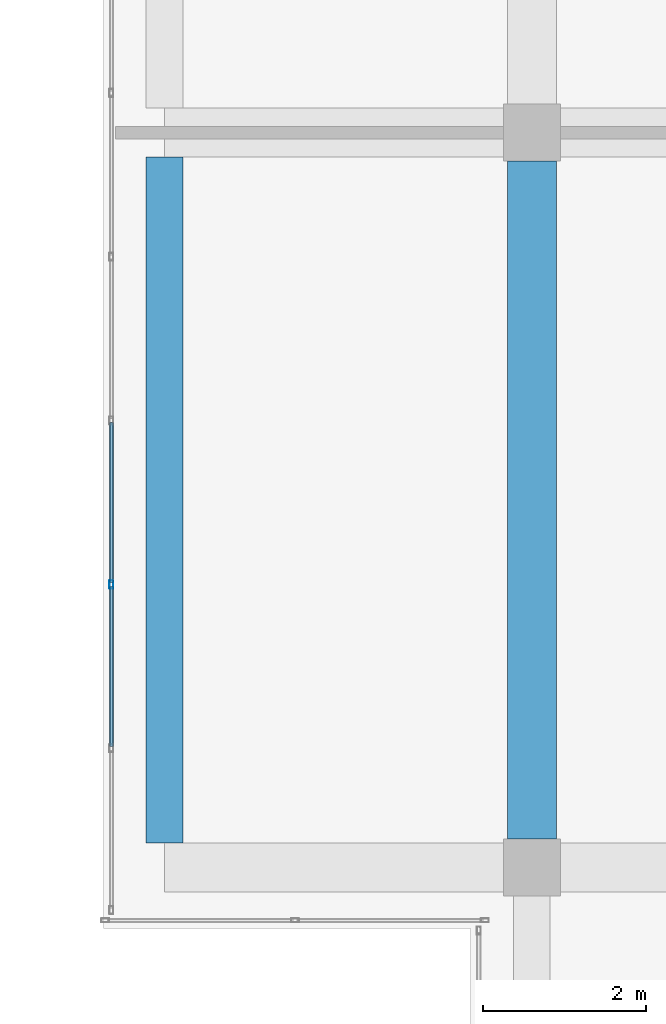
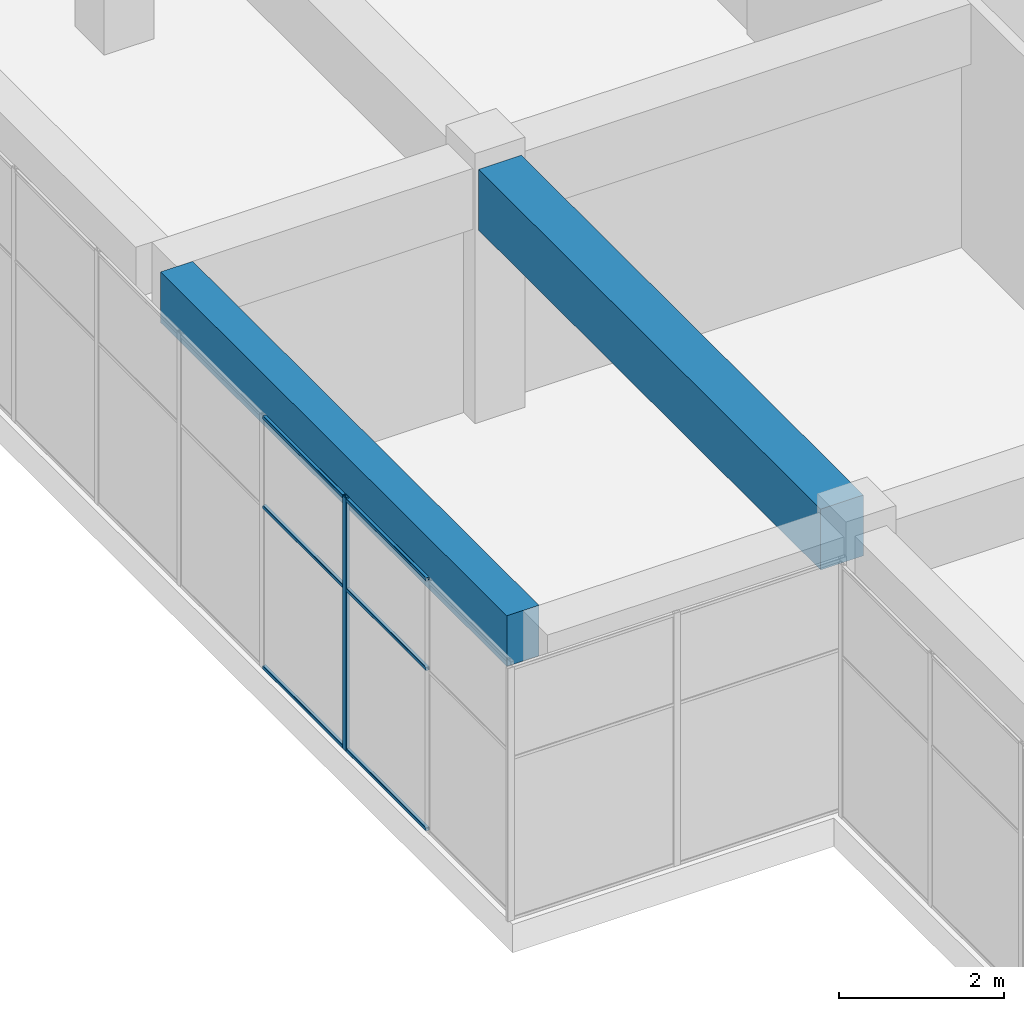
# One storey, part 13 of 49: 7 members, 2 beams, 1 element without a shape of its own.
"""IFC4 building model written with IfcOpenShell, lengths in metres."""

from ifc_helpers import new_model, si_unit, direction, frame, origin, origin_2d, place, context, subcontext, project, spatial, rectangle, hollow_rectangle, extrude, material, layer, layer_set, material_profile, profile_set, type_object, element, aggregate, save


model = new_model("IFC4")

# Units and contexts
model_context = context("Model", 3, precision=1e-05, world=origin(), true_north=direction((0.0, 1.0)))
body_context = subcontext(model_context, "Body", "Model", "MODEL_VIEW")
ifc_project = project(units=[si_unit("LENGTHUNIT", "METRE"), si_unit("AREAUNIT", "SQUARE_METRE"), si_unit("VOLUMEUNIT", "CUBIC_METRE"), si_unit("PLANEANGLEUNIT", "RADIAN"), si_unit("MASSUNIT", "GRAM", prefix="KILO")], contexts=[model_context])

# Site, building, storey
site_placement = place(None, origin())
site = spatial("IfcSite", under=ifc_project, at=site_placement, CompositionType="ELEMENT")
building_placement = place(site_placement, origin())
building = spatial("IfcBuilding", under=site, at=building_placement, Name="Tuart Plaza Theatre", CompositionType="ELEMENT")
storey_placement = place(building_placement, frame((0.0, 0.0, 29.5)))
storey = spatial("IfcBuildingStorey", under=building, at=storey_placement, Name="L07", CompositionType="ELEMENT", Elevation=29.5)

# Beams
ifc_material_1 = material(Name="Concrete N40 (40 MPa)", Category="concrete")
ifc_material_profile_1 = material_profile(ifc_material_1, rectangle(XDim=0.449951171875, YDim=0.75, at=origin_2d()), Name="BEAM 450x750 Concrete N40 (40 MPa)")
ifc_profile_set_1 = profile_set([ifc_material_profile_1], Name="Concrete N40 (40 MPa)")
beam_type_1 = type_object("IfcBeamType", Name="BEAM 450x750 Concrete N40 (40 MPa)", PredefinedType="BEAM", material=ifc_profile_set_1)
beam_1_placement = place(storey_placement, frame((109.5, 65.300048828125, 3.375), z_axis=(0.0, 1.0, 0.0), x_axis=(-1.0, 0.0, 0.0)))
element("IfcBeam", 1, at=beam_1_placement, inside=storey, type_object=beam_type_1, Name="RB248", PredefinedType="BEAM", context=body_context, shape_type="SweptSolid", body=[
    extrude(rectangle(XDim=0.449951171875, YDim=0.75, at=origin_2d()), origin(), (0.0, 0.0, 1.0), 8.39990234375),
])
ifc_material_2 = material(Name="Concrete N40 (40 MPa)", Category="concrete")
ifc_material_profile_2 = material_profile(ifc_material_2, rectangle(XDim=0.60009765625, YDim=0.89990234375, at=origin_2d()), Name="BEAM 600x900 Concrete N40 (40 MPa)")
ifc_profile_set_2 = profile_set([ifc_material_profile_2], Name="Concrete N40 (40 MPa)")
beam_type_2 = type_object("IfcBeamType", Name="BEAM 600x900 Concrete N40 (40 MPa)", PredefinedType="BEAM", material=ifc_profile_set_2)
beam_2_placement = place(storey_placement, frame((114.0, 65.35009765625, 3.300048828125), z_axis=(0.0, 1.0, 0.0), x_axis=(-1.0, 0.0, 0.0)))
element("IfcBeam", 2, at=beam_2_placement, inside=storey, type_object=beam_type_2, Name="RB257", PredefinedType="BEAM", context=body_context, shape_type="SweptSolid", body=[
    extrude(rectangle(XDim=0.60009765625, YDim=0.89990234375, at=origin_2d()), origin(), (0.0, 0.0, 1.0), 8.2998046875),
])

# Curtain wall, members
ifc_material_3 = material(Name="Aluminium and glass", Category="aluminium")
ifc_layer = layer(ifc_material_3, 0.10009765625)
ifc_layer_set = layer_set([ifc_layer], Name="CURTAIN WALL 2000 module")
curtain_wall_type = type_object("IfcCurtainWallType", Name="CURTAIN WALL 2000 module", PredefinedType="NOTDEFINED", material=ifc_layer_set)
curtain_wall_placement = place(storey_placement, origin())
curtain_wall = element("IfcCurtainWall", 3, at=curtain_wall_placement, inside=storey, type_object=curtain_wall_type, Name="CW97", PredefinedType="NOTDEFINED")
ifc_material_4 = material(Name="Aluminium 6063-T5", Category="aluminium")
ifc_material_profile_3 = material_profile(ifc_material_4, hollow_rectangle(XDim=0.050048828125, YDim=0.10009765625, WallThickness=0.00390625, InnerFilletRadius=0.00390625, OuterFilletRadius=0.008056640625, at=origin_2d()), Name="RHS 100x50x4")
ifc_profile_set_3 = profile_set([ifc_material_profile_3], Name="Aluminium 6063-T5")
member_type_1 = type_object("IfcMemberType", Name="MULLION RHS 100x50x4", PredefinedType="MULLION", material=ifc_profile_set_3)
member_1_placement = place(storey_placement, frame((108.85009765625, 68.46435546875, 0.0), z_axis=(0.0, 0.0, 1.0), x_axis=(1.0, 0.0, 0.0)))
member_1 = element("IfcMember", 4, at=member_1_placement, type_object=member_type_1, Name="CW97 mullion 13", PredefinedType="MULLION", context=body_context, shape_type="SweptSolid", body=[
    extrude(hollow_rectangle(XDim=0.050048828125, YDim=0.10009765625, WallThickness=0.00390625, InnerFilletRadius=0.00390625, OuterFilletRadius=0.008056640625, at=origin_2d()), origin(), (0.0, 0.0, 1.0), 3.75),
])
ifc_material_5 = material(Name="Aluminium 6063-T5", Category="aluminium")
ifc_material_profile_4 = material_profile(ifc_material_5, hollow_rectangle(XDim=0.050048828125, YDim=0.050048828125, WallThickness=0.00390625, InnerFilletRadius=0.00390625, OuterFilletRadius=0.008056640625, at=origin_2d()), Name="RHS 50x50x4")
ifc_profile_set_4 = profile_set([ifc_material_profile_4], Name="Aluminium 6063-T5")
member_type_2 = type_object("IfcMemberType", Name="TRANSOM RHS 50x50x4", PredefinedType="USERDEFINED", material=ifc_profile_set_4)
member_2_placement = place(storey_placement, frame((108.85009765625, 70.446533203125, 0.02490234375), z_axis=(0.0, -1.0, 0.0), x_axis=(1.0, 0.0, 0.0)))
member_2 = element("IfcMember", 5, at=member_2_placement, type_object=member_type_2, Name="CW97 transom 12.1", ObjectType="TRANSOM", PredefinedType="USERDEFINED", context=body_context, shape_type="SweptSolid", body=[
    extrude(hollow_rectangle(XDim=0.050048828125, YDim=0.050048828125, WallThickness=0.00390625, InnerFilletRadius=0.00390625, OuterFilletRadius=0.008056640625, at=origin_2d()), origin(), (0.0, 0.0, 1.0), 1.957275390625),
])
member_3_placement = place(storey_placement, frame((108.85009765625, 70.446533203125, 2.39990234375), z_axis=(0.0, -1.0, 0.0), x_axis=(1.0, 0.0, 0.0)))
member_3 = element("IfcMember", 6, at=member_3_placement, type_object=member_type_2, Name="CW97 transom 12.2", ObjectType="TRANSOM", PredefinedType="USERDEFINED", context=body_context, shape_type="SweptSolid", body=[
    extrude(hollow_rectangle(XDim=0.050048828125, YDim=0.050048828125, WallThickness=0.00390625, InnerFilletRadius=0.00390625, OuterFilletRadius=0.008056640625, at=origin_2d()), origin(), (0.0, 0.0, 1.0), 1.957275390625),
])
member_4_placement = place(storey_placement, frame((108.85009765625, 70.446533203125, 3.72509765625), z_axis=(0.0, -1.0, 0.0), x_axis=(1.0, 0.0, 0.0)))
member_4 = element("IfcMember", 7, at=member_4_placement, type_object=member_type_2, Name="CW97 transom 12.3", ObjectType="TRANSOM", PredefinedType="USERDEFINED", context=body_context, shape_type="SweptSolid", body=[
    extrude(hollow_rectangle(XDim=0.050048828125, YDim=0.050048828125, WallThickness=0.00390625, InnerFilletRadius=0.00390625, OuterFilletRadius=0.008056640625, at=origin_2d()), origin(), (0.0, 0.0, 1.0), 1.957275390625),
])
member_5_placement = place(storey_placement, frame((108.85009765625, 68.439208984375, 0.02490234375), z_axis=(0.0, -1.0, 0.0), x_axis=(1.0, 0.0, 0.0)))
member_5 = element("IfcMember", 8, at=member_5_placement, type_object=member_type_2, Name="CW97 transom 13.1", ObjectType="TRANSOM", PredefinedType="USERDEFINED", context=body_context, shape_type="SweptSolid", body=[
    extrude(hollow_rectangle(XDim=0.050048828125, YDim=0.050048828125, WallThickness=0.00390625, InnerFilletRadius=0.00390625, OuterFilletRadius=0.008056640625, at=origin_2d()), origin(), (0.0, 0.0, 1.0), 1.95703125),
])
member_6_placement = place(storey_placement, frame((108.85009765625, 68.439208984375, 2.39990234375), z_axis=(0.0, -1.0, 0.0), x_axis=(1.0, 0.0, 0.0)))
member_6 = element("IfcMember", 9, at=member_6_placement, type_object=member_type_2, Name="CW97 transom 13.2", ObjectType="TRANSOM", PredefinedType="USERDEFINED", context=body_context, shape_type="SweptSolid", body=[
    extrude(hollow_rectangle(XDim=0.050048828125, YDim=0.050048828125, WallThickness=0.00390625, InnerFilletRadius=0.00390625, OuterFilletRadius=0.008056640625, at=origin_2d()), origin(), (0.0, 0.0, 1.0), 1.95703125),
])
member_7_placement = place(storey_placement, frame((108.85009765625, 68.439208984375, 3.72509765625), z_axis=(0.0, -1.0, 0.0), x_axis=(1.0, 0.0, 0.0)))
member_7 = element("IfcMember", 10, at=member_7_placement, type_object=member_type_2, Name="CW97 transom 13.3", ObjectType="TRANSOM", PredefinedType="USERDEFINED", context=body_context, shape_type="SweptSolid", body=[
    extrude(hollow_rectangle(XDim=0.050048828125, YDim=0.050048828125, WallThickness=0.00390625, InnerFilletRadius=0.00390625, OuterFilletRadius=0.008056640625, at=origin_2d()), origin(), (0.0, 0.0, 1.0), 1.95703125),
])
aggregate(curtain_wall, [member_1, member_2, member_3, member_4, member_5, member_6, member_7])

save(model, "model.ifc")
